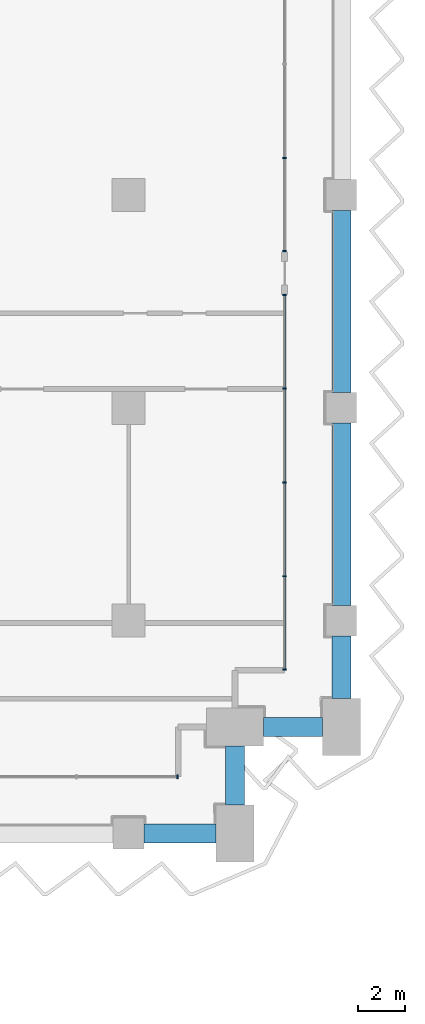
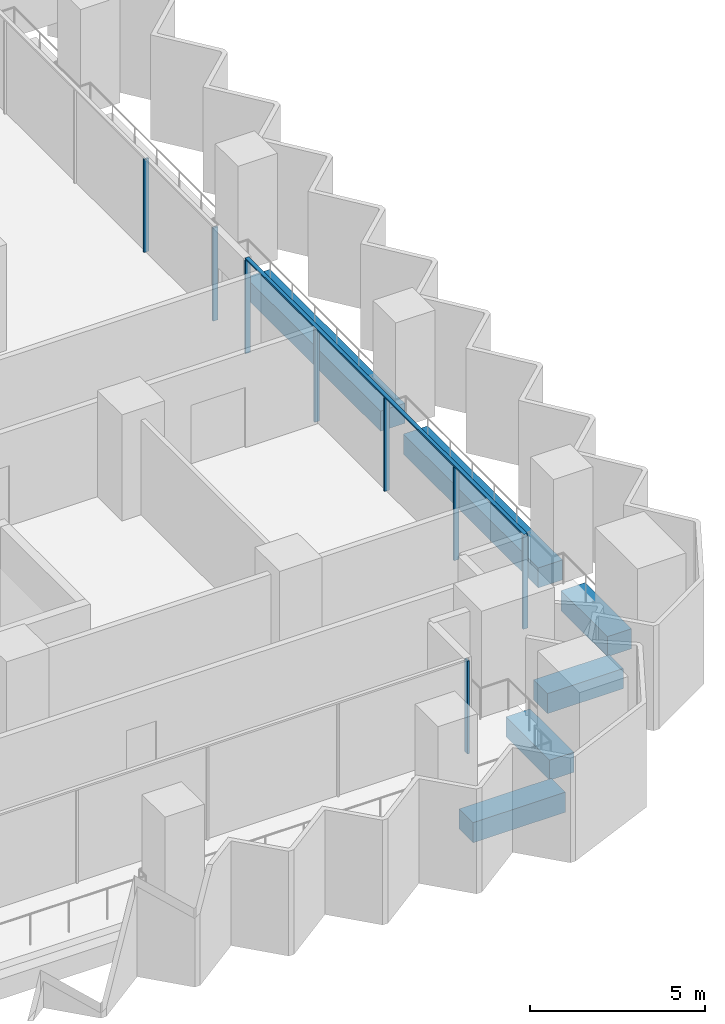
# One storey, part 6 of 29: 9 members, 6 beams, 3 elements without a shape of their own.
"""IFC4 building model written with IfcOpenShell, lengths in metres."""

from ifc_helpers import new_model, si_unit, direction, frame, origin, origin_2d, place, context, subcontext, project, spatial, rectangle, extrude, material, material_profile, profile_set, type_object, element, aggregate, save


model = new_model("IFC4")

# Units and contexts
model_context = context("Model", 3, precision=1e-05, world=origin(), true_north=direction((0.0, 1.0)))
body_context = subcontext(model_context, "Body", "Model", "MODEL_VIEW")
ifc_project = project(units=[si_unit("LENGTHUNIT", "METRE"), si_unit("AREAUNIT", "SQUARE_METRE"), si_unit("VOLUMEUNIT", "CUBIC_METRE"), si_unit("PLANEANGLEUNIT", "RADIAN"), si_unit("MASSUNIT", "GRAM", prefix="KILO")], contexts=[model_context])

# Site, building, storey
site_placement = place(None, origin())
site = spatial("IfcSite", under=ifc_project, at=site_placement, CompositionType="ELEMENT")
building_placement = place(site_placement, origin())
building = spatial("IfcBuilding", under=site, at=building_placement, Name="Hunhe Ridgeline Campus", CompositionType="ELEMENT")
storey_placement = place(building_placement, frame((0.0, 0.0, 46.89990234375)))
storey = spatial("IfcBuildingStorey", under=building, at=storey_placement, Name="L10", CompositionType="ELEMENT", Elevation=46.89990234375)

# Curtain wall, member
ifc_material_1 = material(Name="Aluminium 6063", Category="aluminium")
curtain_wall_type = type_object("IfcCurtainWallType", Name="Curtain wall CW-1", PredefinedType="NOTDEFINED", material=ifc_material_1)
curtain_wall_1_placement = place(storey_placement, origin())
curtain_wall_1 = element("IfcCurtainWall", 1, at=curtain_wall_1_placement, inside=storey, type_object=curtain_wall_type, Name="Curtain wall 13", PredefinedType="NOTDEFINED")
ifc_material_profile_1 = material_profile(ifc_material_1, rectangle(XDim=0.159912109375, YDim=0.06005859375, at=origin_2d()))
ifc_profile_set_1 = profile_set([ifc_material_profile_1], Name="Aluminium 6063")
member_type_1 = type_object("IfcMemberType", Name="CW-1 aluminium mullion", PredefinedType="MULLION", material=ifc_profile_set_1)
member_1_placement = place(storey_placement, frame((92.069091796875, 56.40087890625, 0.0), z_axis=(0.0, 0.0, 1.0), x_axis=(-3.602063e-06, 0.999999999994, 0.0)))
member_1 = element("IfcMember", 2, at=member_1_placement, type_object=member_type_1, Name="CW-1 mullion 9", PredefinedType="MULLION", context=body_context, shape_type="SweptSolid", body=[
    extrude(rectangle(XDim=0.159912109375, YDim=0.06005859375, at=origin_2d()), origin(), (0.0, 0.0, 1.0), 3.239990234375),
])
aggregate(curtain_wall_1, [member_1])

# Curtain wall, members
curtain_wall_2_placement = place(storey_placement, origin())
curtain_wall_2 = element("IfcCurtainWall", 3, at=curtain_wall_2_placement, inside=storey, type_object=curtain_wall_type, Name="Curtain wall 14", PredefinedType="NOTDEFINED")
member_2_placement = place(storey_placement, frame((96.59912109375, 60.930908203125, 0.0), z_axis=(0.0, 0.0, 1.0), x_axis=(-1.0, 0.0, 0.0)))
member_2 = element("IfcMember", 4, at=member_2_placement, type_object=member_type_1, Name="CW-1 mullion 1", PredefinedType="MULLION", context=body_context, shape_type="SweptSolid", body=[
    extrude(rectangle(XDim=0.159912109375, YDim=0.06005859375, at=origin_2d()), origin(), (0.0, 0.0, 1.0), 3.239990234375),
])
member_3_placement = place(storey_placement, frame((96.59912109375, 64.8759765625, 0.0), z_axis=(0.0, 0.0, 1.0), x_axis=(-1.0, 0.0, 0.0)))
member_3 = element("IfcMember", 5, at=member_3_placement, type_object=member_type_1, Name="CW-1 mullion 2", PredefinedType="MULLION", context=body_context, shape_type="SweptSolid", body=[
    extrude(rectangle(XDim=0.159912109375, YDim=0.06005859375, at=origin_2d()), origin(), (0.0, 0.0, 1.0), 3.239990234375),
])
member_4_placement = place(storey_placement, frame((96.59912109375, 68.850830078125, 0.0), z_axis=(0.0, 0.0, 1.0), x_axis=(-1.0, 0.0, 0.0)))
member_4 = element("IfcMember", 6, at=member_4_placement, type_object=member_type_1, Name="CW-1 mullion 3", PredefinedType="MULLION", context=body_context, shape_type="SweptSolid", body=[
    extrude(rectangle(XDim=0.159912109375, YDim=0.06005859375, at=origin_2d()), origin(), (0.0, 0.0, 1.0), 3.239990234375),
])
member_5_placement = place(storey_placement, frame((96.59912109375, 72.82568359375, 0.0), z_axis=(0.0, 0.0, 1.0), x_axis=(-1.0, 0.0, 0.0)))
member_5 = element("IfcMember", 7, at=member_5_placement, type_object=member_type_1, Name="CW-1 mullion 4", PredefinedType="MULLION", context=body_context, shape_type="SweptSolid", body=[
    extrude(rectangle(XDim=0.159912109375, YDim=0.06005859375, at=origin_2d()), origin(), (0.0, 0.0, 1.0), 3.239990234375),
])
member_6_placement = place(storey_placement, frame((96.59912109375, 76.7705078125, 0.0), z_axis=(0.0, 0.0, 1.0), x_axis=(-1.0, 0.0, 0.0)))
member_6 = element("IfcMember", 8, at=member_6_placement, type_object=member_type_1, Name="CW-1 mullion 5", PredefinedType="MULLION", context=body_context, shape_type="SweptSolid", body=[
    extrude(rectangle(XDim=0.159912109375, YDim=0.06005859375, at=origin_2d()), origin(), (0.0, 0.0, 1.0), 3.239990234375),
])

curtain_wall_3_placement = place(storey_placement, origin())
curtain_wall_3 = element("IfcCurtainWall", 9, at=curtain_wall_3_placement, inside=storey, type_object=curtain_wall_type, Name="Curtain wall 15", PredefinedType="NOTDEFINED")
member_7_placement = place(storey_placement, frame((96.59912109375, 78.630615234375, 0.0), z_axis=(0.0, 0.0, 1.0), x_axis=(-1.0, 0.0, 0.0)))
member_7 = element("IfcMember", 10, at=member_7_placement, type_object=member_type_1, Name="CW-1 mullion 1", PredefinedType="MULLION", context=body_context, shape_type="SweptSolid", body=[
    extrude(rectangle(XDim=0.159912109375, YDim=0.06005859375, at=origin_2d()), origin(), (0.0, 0.0, 1.0), 3.239990234375),
])
member_8_placement = place(storey_placement, frame((96.59912109375, 82.575439453125, 0.0), z_axis=(0.0, 0.0, 1.0), x_axis=(-1.0, 0.0, 0.0)))
member_8 = element("IfcMember", 11, at=member_8_placement, type_object=member_type_1, Name="CW-1 mullion 2", PredefinedType="MULLION", context=body_context, shape_type="SweptSolid", body=[
    extrude(rectangle(XDim=0.159912109375, YDim=0.06005859375, at=origin_2d()), origin(), (0.0, 0.0, 1.0), 3.239990234375),
])
aggregate(curtain_wall_3, [member_7, member_8])

# Member
ifc_material_profile_2 = material_profile(ifc_material_1, rectangle(XDim=0.1201171875, YDim=0.06005859375, at=origin_2d()))
ifc_profile_set_2 = profile_set([ifc_material_profile_2], Name="Aluminium 6063")
member_type_2 = type_object("IfcMemberType", Name="CW-1 aluminium transom", PredefinedType="USERDEFINED", material=ifc_profile_set_2)
member_9_placement = place(storey_placement, frame((96.59912109375, 60.90087890625, 3.27001953125), z_axis=(0.0, 1.0, 0.0), x_axis=(-1.0, 0.0, 0.0)))
member_9 = element("IfcMember", 12, at=member_9_placement, type_object=member_type_2, Name="CW-1 transom 1", ObjectType="TRANSOM", PredefinedType="USERDEFINED", context=body_context, shape_type="SweptSolid", body=[
    extrude(rectangle(XDim=0.1201171875, YDim=0.06005859375, at=origin_2d()), origin(), (0.0, 0.0, 1.0), 15.899658203125),
])

aggregate(curtain_wall_2, [member_9, member_2, member_3, member_4, member_5, member_6])

# Beams
ifc_material_2 = material(Name="Concrete C60", Category="concrete")
ifc_material_profile_3 = material_profile(ifc_material_2, rectangle(XDim=0.800048828125, YDim=0.699951171875, at=origin_2d()))
ifc_profile_set_3 = profile_set([ifc_material_profile_3], Name="Concrete C60")
beam_type = type_object("IfcBeamType", Name="RC spandrel beam 800x700 Concrete C60", PredefinedType="SPANDREL", material=ifc_profile_set_3)
beam_1_placement = place(storey_placement, frame((90.64990234375, 54.0, -0.599853515625), z_axis=(1.0, 0.0, 0.0), x_axis=(0.0, 1.0, 0.0)))
element("IfcBeam", 13, at=beam_1_placement, inside=storey, type_object=beam_type, Name="Spandrel beam B1-17 L10", PredefinedType="SPANDREL", context=body_context, shape_type="SweptSolid", body=[
    extrude(rectangle(XDim=0.800048828125, YDim=0.699951171875, at=origin_2d()), origin(), (0.0, 0.0, 1.0), 3.050048828125),
])
for number, where, z_axis, x_axis, name in (
    (14, (94.5, 55.199951171875, -0.599853515625), (0.0, 1.0, 0.0), (-1.0, 0.0, 0.0), "Spandrel beam B1-18 L10"),
    (15, (95.699951171875, 58.5, -0.599853515625), (1.0, 0.0, 0.0), (0.0, 1.0, 0.0), "Spandrel beam B1-19 L10"),
):
    element("IfcBeam", number, at=place(storey_placement, frame(where, z_axis=z_axis, x_axis=x_axis)), inside=storey, type_object=beam_type, Name=name, PredefinedType="SPANDREL", context=body_context, shape_type="SweptSolid", body=[
        extrude(rectangle(XDim=0.800048828125, YDim=0.699951171875, at=origin_2d()), origin(), (0.0, 0.0, 1.0), 2.5),
    ])
beam_2_placement = place(storey_placement, frame((99.0, 59.699951171875, -0.599853515625), z_axis=(0.0, 1.0, 0.0), x_axis=(-1.0, 0.0, 0.0)))
element("IfcBeam", 16, at=beam_2_placement, inside=storey, type_object=beam_type, Name="Spandrel beam B1-20 L10", PredefinedType="SPANDREL", context=body_context, shape_type="SweptSolid", body=[
    extrude(rectangle(XDim=0.800048828125, YDim=0.699951171875, at=origin_2d()), origin(), (0.0, 0.0, 1.0), 2.650146484375),
])
for number, where, z_axis, x_axis, name in (
    (17, (99.0, 63.64990234375, -0.599853515625), (0.0, 1.0, 0.0), (-1.0, 0.0, 0.0), "Spandrel beam B1-21 L10"),
    (18, (99.0, 72.64990234375, -0.599853515625), (0.0, 1.0, 0.0), (-1.0, 0.0, 0.0), "Spandrel beam B1-22 L10"),
):
    element("IfcBeam", number, at=place(storey_placement, frame(where, z_axis=z_axis, x_axis=x_axis)), inside=storey, type_object=beam_type, Name=name, PredefinedType="SPANDREL", context=body_context, shape_type="SweptSolid", body=[
        extrude(rectangle(XDim=0.800048828125, YDim=0.699951171875, at=origin_2d()), origin(), (0.0, 0.0, 1.0), 7.7001953125),
    ])

save(model, "model.ifc")
